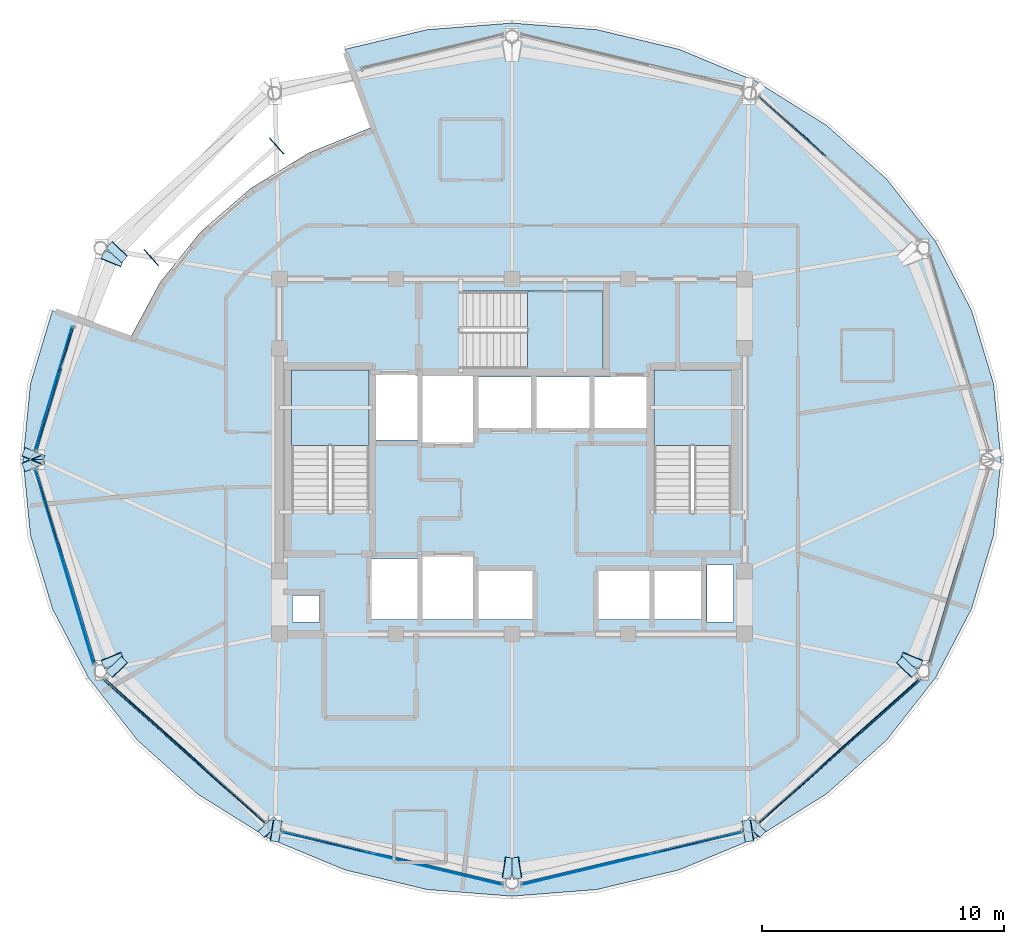
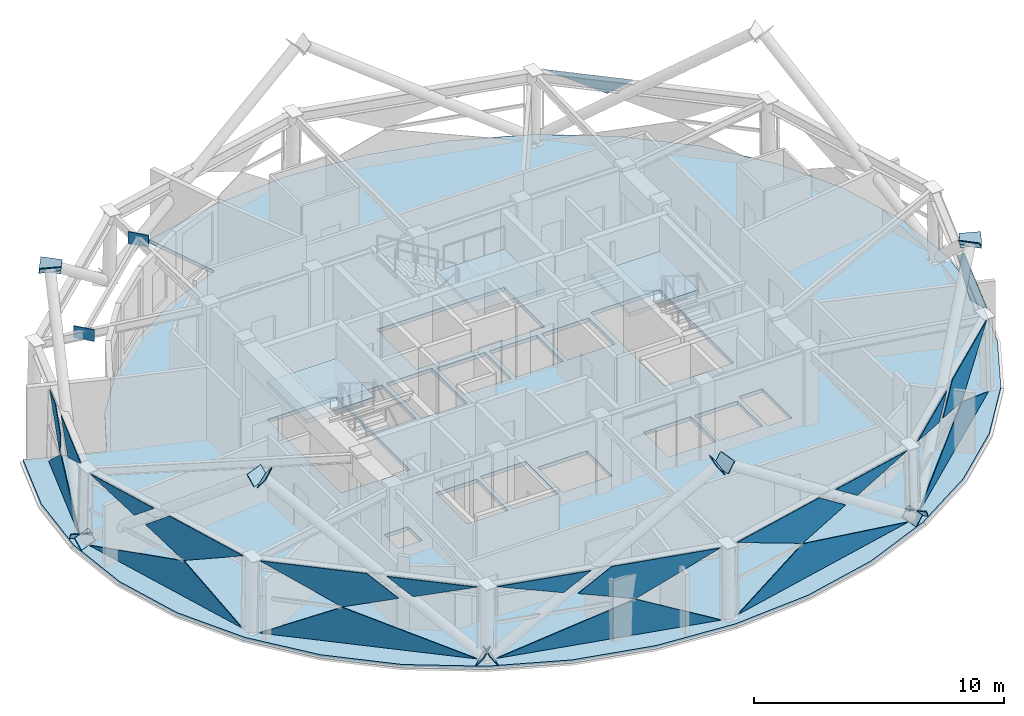
# One storey, part 6 of 15: 36 plates, 4 slabs, 11 elements without a shape of their own.
"""IFC4 building model written with IfcOpenShell, lengths in metres."""

from ifc_helpers import new_model, si_unit, direction, frame, origin, origin_2d, place, context, subcontext, project, spatial, polyline, rectangle, outline, extrude, material, layer, layer_set, type_object, element, aggregate, save


model = new_model("IFC4")

# Units and contexts
model_context = context("Model", 3, precision=1e-05, world=origin(), true_north=direction((0.0, 1.0)))
body_context = subcontext(model_context, "Body", "Model", "MODEL_VIEW")
ifc_project = project(units=[si_unit("LENGTHUNIT", "METRE"), si_unit("AREAUNIT", "SQUARE_METRE"), si_unit("VOLUMEUNIT", "CUBIC_METRE"), si_unit("PLANEANGLEUNIT", "RADIAN"), si_unit("MASSUNIT", "GRAM", prefix="KILO")], contexts=[model_context])

# Site, building, storey
site_placement = place(None, origin())
site = spatial("IfcSite", under=ifc_project, at=site_placement, CompositionType="ELEMENT")
building_placement = place(site_placement, origin())
building = spatial("IfcBuilding", under=site, at=building_placement, Name="Vantalir Tower", CompositionType="ELEMENT")
storey_placement = place(building_placement, frame((0.0, 0.0, 275.10009765625)))
storey = spatial("IfcBuildingStorey", under=building, at=storey_placement, Name="L69", CompositionType="ELEMENT", Elevation=275.10009765625)

# Curtain wall, plate
ifc_material_1 = material(Name="Champagne-silver PVDF aluminium and double-silver Low-E glass", Category="aluminium")
ifc_layer_1 = layer(ifc_material_1, 0.219970703125)
ifc_layer_set_1 = layer_set([ifc_layer_1], Name="Champagne-silver PVDF aluminium and double-silver Low-E glass")
curtain_wall_type = type_object("IfcCurtainWallType", Name="CW-DIAMOND-Z4", PredefinedType="USERDEFINED", material=ifc_layer_set_1)
curtain_wall_1_placement = place(storey_placement, origin())
curtain_wall_1 = element("IfcCurtainWall", 1, at=curtain_wall_1_placement, inside=storey, type_object=curtain_wall_type, Name="L69 Quilted Pyramid-Diamond Curtain Wall S02", ObjectType="UNITISED CURTAIN WALL", PredefinedType="USERDEFINED")
ifc_material_2 = material(Name="Double-silver Low-E acoustic glass IGU", Category="glass")
ifc_layer_2 = layer(ifc_material_2, 0.031982421875)
ifc_layer_set_2 = layer_set([ifc_layer_2], Name="Double-silver Low-E acoustic glass IGU")
plate_type_1 = type_object("IfcPlateType", Name="CWP-IGU-32", PredefinedType="CURTAIN_PANEL", material=ifc_layer_set_2)
plate_1_placement = place(storey_placement, frame((44.4423828125, 37.541015625, 3.524169921875), z_axis=(0.664811906287, 0.746209933203, 0.034581278868), x_axis=(-0.74665804319, 0.665208059282, 6.6381405e-05)))
plate_1 = element("IfcPlate", 2, at=plate_1_placement, type_object=plate_type_1, Name="CW-L69-S02 Pyramid Diamond Facet 2U Infill Light", PredefinedType="CURTAIN_PANEL", context=body_context, shape_type="SweptSolid", body=[
    extrude(outline(polyline([(0.0, 0.0), (3.6778466060164585, -5.9631119486702744e-18), (1.071459729547726, -0.8174545868739826), (0.0, 0.0)])), origin(), (0.0, 0.0, -1.0), 0.031982421875),
])
aggregate(curtain_wall_1, [plate_1])

# Curtain wall, plates
curtain_wall_2_placement = place(storey_placement, origin())
curtain_wall_2 = element("IfcCurtainWall", 3, at=curtain_wall_2_placement, inside=storey, type_object=curtain_wall_type, Name="L69 Quilted Pyramid-Diamond Curtain Wall S06", ObjectType="UNITISED CURTAIN WALL", PredefinedType="USERDEFINED")
plate_2_placement = place(storey_placement, frame((13.33349609375, 30.49853515625, 0.04833984375), z_axis=(-0.957610155679, 0.287945506371, 0.008377057993), x_axis=(-0.287956342959, -0.957643532939, -9.1487321e-05)))
plate_2 = element("IfcPlate", 4, at=plate_2_placement, type_object=plate_type_1, Name="CW-L69-S06 Pyramid Diamond Facet 1L", PredefinedType="CURTAIN_PANEL", context=body_context, shape_type="SweptSolid", body=[
    extrude(outline(polyline([(0.0, 0.0), (5.337146661127436, -3.903127820947816e-18), (2.0283862562884054, 1.722658133123488), (0.0, 0.0)])), origin(), (0.0, 0.0, -1.0), 0.031982421875),
])
plate_3_placement = place(storey_placement, frame((12.88623046875, 28.744384765625, 3.521728515625), z_axis=(-0.956994387183, 0.287887453502, 0.035812805205), x_axis=(-0.288069856479, -0.957609394762, 6.9649385e-05)))
plate_3 = element("IfcPlate", 5, at=plate_3_placement, type_object=plate_type_1, Name="CW-L69-S06 Pyramid Diamond Facet 2U", PredefinedType="CURTAIN_PANEL", context=body_context, shape_type="SweptSolid", body=[
    extrude(outline(polyline([(0.0, 0.0), (3.505280411287647, 8.673617379884035e-19), (1.3962142219426634, -1.106764251244101), (0.0, 0.0)])), origin(), (0.0, 0.0, -1.0), 0.031982421875),
])
plate_4_placement = place(storey_placement, frame((13.372314453125, 30.48486328125, 3.522705078125), z_axis=(-0.956994593593, 0.287887737634, 0.035805004593), x_axis=(-0.288064164591, -0.957611079125, 0.000241278602)))
plate_4 = element("IfcPlate", 6, at=plate_4_placement, type_object=plate_type_1, Name="CW-L69-S06 Pyramid Diamond Facet 2U Infill Light", PredefinedType="CURTAIN_PANEL", context=body_context, shape_type="SweptSolid", body=[
    extrude(outline(polyline([(0.0, 0.0), (0.9859348075779445, 8.131516293641283e-20), (2.0263419495955346, -0.8249925354885322), (2.026172765669833, -1.7240127325255827), (0.0, 0.0)])), origin(), (0.0, 0.0, -1.0), 0.031982421875),
])
aggregate(curtain_wall_2, [plate_2, plate_3, plate_4])

curtain_wall_3_placement = place(storey_placement, origin())
curtain_wall_3 = element("IfcCurtainWall", 7, at=curtain_wall_3_placement, inside=storey, type_object=curtain_wall_type, Name="L69 Quilted Pyramid-Diamond Curtain Wall S07", ObjectType="UNITISED CURTAIN WALL", PredefinedType="USERDEFINED")
plate_5_placement = place(storey_placement, frame((11.796630859375, 24.6123046875, 0.046875), z_axis=(-0.957604111575, -0.287966061156, 0.008361406346), x_axis=(0.287976360321, -0.957637517568, 2.9029875e-05)))
plate_5 = element("IfcPlate", 8, at=plate_5_placement, type_object=plate_type_1, Name="CW-L69-S07 Pyramid Diamond Facet 1L", PredefinedType="CURTAIN_PANEL", context=body_context, shape_type="SweptSolid", body=[
    extrude(outline(polyline([(0.0, 0.0), (8.409978504136427, 9.215718466126788e-19), (5.21001830640283, 1.725006712147774), (0.0, 0.0)])), origin(), (0.0, 0.0, -1.0), 0.031982421875),
])
plate_6_placement = place(storey_placement, frame((13.123291015625, 20.468017578125, 3.52294921875), z_axis=(-0.956999253722, -0.287851344839, 0.035972651417), x_axis=(0.288035694593, -0.957619671381, -6.0197969e-05)))
plate_6 = element("IfcPlate", 9, at=plate_6_placement, type_object=plate_type_1, Name="CW-L69-S07 Pyramid Diamond Facet 2U", PredefinedType="CURTAIN_PANEL", context=body_context, shape_type="SweptSolid", body=[
    extrude(outline(polyline([(0.0, 0.0), (4.044712519839099, 8.429671891074797e-18), (0.8592034600220758, -1.7261631534987343), (-1.2797720131007355, -1.0144048077991257), (0.0, 0.0)])), origin(), (0.0, 0.0, -1.0), 0.031982421875),
])
plate_7_placement = place(storey_placement, frame((11.842041015625, 24.601806640625, 3.5244140625), z_axis=(-0.956982534962, -0.287897475671, 0.036048179985), x_axis=(0.288082309931, -0.957605648405, -6.9618731e-05)))
plate_7 = element("IfcPlate", 10, at=plate_7_placement, type_object=plate_type_1, Name="CW-L69-S07 Pyramid Diamond Facet 2U Infill Light", PredefinedType="CURTAIN_PANEL", context=body_context, shape_type="SweptSolid", body=[
    extrude(outline(polyline([(0.0, 0.0), (3.50682381883066, 5.1228552649940085e-18), (2.4697584677772304, -0.8218954520316802), (0.0, 0.0)])), origin(), (0.0, 0.0, -1.0), 0.031982421875),
])
aggregate(curtain_wall_3, [plate_5, plate_6, plate_7])

curtain_wall_4_placement = place(storey_placement, origin())
curtain_wall_4 = element("IfcCurtainWall", 11, at=curtain_wall_4_placement, inside=storey, type_object=curtain_wall_type, Name="L69 Quilted Pyramid-Diamond Curtain Wall S08", ObjectType="UNITISED CURTAIN WALL", PredefinedType="USERDEFINED")
plate_8_placement = place(storey_placement, frame((14.63720703125, 15.901611328125, 0.047119140625), z_axis=(-0.665151008486, -0.746671409792, 0.007479419082), x_axis=(0.746692021826, -0.665169919296, -5.4823203e-05)))
plate_8 = element("IfcPlate", 12, at=plate_8_placement, type_object=plate_type_1, Name="CW-L69-S08 Pyramid Diamond Facet 1L", PredefinedType="CURTAIN_PANEL", context=body_context, shape_type="SweptSolid", body=[
    extrude(outline(polyline([(0.0, 0.0), (8.906470714310434, 3.3068166260807885e-18), (3.3911132197052147, 1.7253318302117941), (0.0, 0.0)])), origin(), (0.0, 0.0, -1.0), 0.031982421875),
])
plate_9_placement = place(storey_placement, frame((14.707275390625, 15.937744140625, 3.522705078125), z_axis=(-0.664843369795, -0.746182130521, 0.034576317479), x_axis=(0.746629861989, -0.665239690658, 5.6216274e-05)))
plate_9 = element("IfcPlate", 13, at=plate_9_placement, type_object=plate_type_1, Name="CW-L69-S08 Pyramid Diamond Facet 2U", PredefinedType="CURTAIN_PANEL", context=body_context, shape_type="SweptSolid", body=[
    extrude(outline(polyline([(0.0, 0.0), (4.3492869688753375, 1.1275702593849246e-17), (5.665571421070006, -1.0040927138565632), (3.362871188413819, -1.7263185812799955), (0.0, 0.0)])), origin(), (0.0, 0.0, -1.0), 0.031982421875),
])
plate_10_placement = place(storey_placement, frame((18.5576171875, 12.458984375, 3.524169921875), z_axis=(-0.664811906287, -0.746209933203, 0.034581278868), x_axis=(0.74665804319, -0.665208059282, 6.6381405e-05)))
plate_10 = element("IfcPlate", 14, at=plate_10_placement, type_object=plate_type_1, Name="CW-L69-S08 Pyramid Diamond Facet 2U Infill Light", PredefinedType="CURTAIN_PANEL", context=body_context, shape_type="SweptSolid", body=[
    extrude(outline(polyline([(0.0, 0.0), (3.6778466060164585, -5.9631119486702744e-18), (1.071459729547726, -0.8174545868739826), (0.0, 0.0)])), origin(), (0.0, 0.0, -1.0), 0.031982421875),
])
aggregate(curtain_wall_4, [plate_8, plate_9, plate_10])

curtain_wall_5_placement = place(storey_placement, origin())
curtain_wall_5 = element("IfcCurtainWall", 15, at=curtain_wall_5_placement, inside=storey, type_object=curtain_wall_type, Name="L69 Quilted Pyramid-Diamond Curtain Wall S09", ObjectType="UNITISED CURTAIN WALL", PredefinedType="USERDEFINED")
plate_11_placement = place(storey_placement, frame((21.98388671875, 9.614013671875, 0.046630859375), z_axis=(-0.232221341907, -0.972642544246, 0.006303133056), x_axis=(0.97266190389, -0.232225795386, 2.6031364e-05)))
plate_11 = element("IfcPlate", 16, at=plate_11_placement, type_object=plate_type_1, Name="CW-L69-S09 Pyramid Diamond Facet 1L", PredefinedType="CURTAIN_PANEL", context=body_context, shape_type="SweptSolid", body=[
    extrude(outline(polyline([(0.0, 0.0), (9.378710543343471, 6.2341624917916505e-19), (5.809914485881355, 1.7254689744261527), (0.0, 0.0)])), origin(), (0.0, 0.0, -1.0), 0.031982421875),
])
plate_12_placement = place(storey_placement, frame((26.7001953125, 8.5595703125, 3.52294921875), z_axis=(-0.232018905247, -0.972123742793, 0.033803199644), x_axis=(0.972679625293, -0.232151559415, 5.61551e-07)))
plate_12 = element("IfcPlate", 17, at=plate_12_placement, type_object=plate_type_1, Name="CW-L69-S09 Pyramid Diamond Facet 2U", PredefinedType="CURTAIN_PANEL", context=body_context, shape_type="SweptSolid", body=[
    extrude(outline(polyline([(0.0, 0.0), (4.529742667009281, 0.0), (0.9775081115874013, -1.7263289280254674), (-1.4124941260072281, -1.0130267711499568), (0.0, 0.0)])), origin(), (0.0, 0.0, -1.0), 0.031982421875),
])
plate_13_placement = place(storey_placement, frame((22.015380859375, 9.640869140625, 3.5244140625), z_axis=(-0.232033056585, -0.972116548684, 0.033912776744), x_axis=(0.972675544698, -0.232168647529, -6.2060585e-05)))
plate_13 = element("IfcPlate", 18, at=plate_13_placement, type_object=plate_type_1, Name="CW-L69-S09 Pyramid Diamond Facet 2U Infill Light", PredefinedType="CURTAIN_PANEL", context=body_context, shape_type="SweptSolid", body=[
    extrude(outline(polyline([(0.0, 0.0), (3.9339079063755373, -2.087089182034596e-18), (2.7782925911796483, -0.8289176568402569), (0.0, 0.0)])), origin(), (0.0, 0.0, -1.0), 0.031982421875),
])
aggregate(curtain_wall_5, [plate_11, plate_12, plate_13])

curtain_wall_6_placement = place(storey_placement, origin())
curtain_wall_6 = element("IfcCurtainWall", 19, at=curtain_wall_6_placement, inside=storey, type_object=curtain_wall_type, Name="L69 Quilted Pyramid-Diamond Curtain Wall S10", ObjectType="UNITISED CURTAIN WALL", PredefinedType="USERDEFINED")
plate_14_placement = place(storey_placement, frame((31.893798828125, 7.43603515625, 0.046875), z_axis=(0.232221341907, -0.972642544246, 0.006303133056), x_axis=(0.97266190389, 0.232225795386, -2.6031364e-05)))
plate_14 = element("IfcPlate", 20, at=plate_14_placement, type_object=plate_type_1, Name="CW-L69-S10 Pyramid Diamond Facet 1L", PredefinedType="CURTAIN_PANEL", context=body_context, shape_type="SweptSolid", body=[
    extrude(outline(polyline([(0.0, 0.0), (9.378710543343471, -6.2341624917916505e-19), (3.5687960574621167, 1.7254689744261524), (0.0, 0.0)])), origin(), (0.0, 0.0, -1.0), 0.031982421875),
])
plate_15_placement = place(storey_placement, frame((31.893798828125, 7.508056640625, 3.52294921875), z_axis=(0.232018905247, -0.972123742793, 0.033803199644), x_axis=(0.972679625293, 0.232151559415, -5.61551e-07)))
plate_15 = element("IfcPlate", 21, at=plate_15_placement, type_object=plate_type_1, Name="CW-L69-S10 Pyramid Diamond Facet 2U", PredefinedType="CURTAIN_PANEL", context=body_context, shape_type="SweptSolid", body=[
    extrude(outline(polyline([(0.0, 0.0), (4.529742667009281, 0.0), (5.9422367930165105, -1.0130267711499568), (3.552234555421881, -1.7263289280254674), (0.0, 0.0)])), origin(), (0.0, 0.0, -1.0), 0.031982421875),
])
plate_16_placement = place(storey_placement, frame((37.158203125, 8.7275390625, 3.524169921875), z_axis=(0.232033056585, -0.972116548684, 0.033912776744), x_axis=(0.972675544698, 0.232168647529, 6.2060585e-05)))
plate_16 = element("IfcPlate", 22, at=plate_16_placement, type_object=plate_type_1, Name="CW-L69-S10 Pyramid Diamond Facet 2U Infill Light", PredefinedType="CURTAIN_PANEL", context=body_context, shape_type="SweptSolid", body=[
    extrude(outline(polyline([(0.0, 0.0), (3.9339079063755373, 2.087089182034596e-18), (1.1556153151958888, -0.8289176568402569), (0.0, 0.0)])), origin(), (0.0, 0.0, -1.0), 0.031982421875),
])
aggregate(curtain_wall_6, [plate_14, plate_15, plate_16])

curtain_wall_7_placement = place(storey_placement, origin())
curtain_wall_7 = element("IfcCurtainWall", 23, at=curtain_wall_7_placement, inside=storey, type_object=curtain_wall_type, Name="L69 Quilted Pyramid-Diamond Curtain Wall S11", ObjectType="UNITISED CURTAIN WALL", PredefinedType="USERDEFINED")
plate_17_placement = place(storey_placement, frame((41.71240234375, 9.977294921875, 0.046630859375), z_axis=(0.665151008486, -0.746671409792, 0.007479419082), x_axis=(0.746692021826, 0.665169919296, 5.4823203e-05)))
plate_17 = element("IfcPlate", 24, at=plate_17_placement, type_object=plate_type_1, Name="CW-L69-S11 Pyramid Diamond Facet 1L", PredefinedType="CURTAIN_PANEL", context=body_context, shape_type="SweptSolid", body=[
    extrude(outline(polyline([(0.0, 0.0), (8.906470714310434, -3.3068166260807885e-18), (5.515357494605218, 1.7253318302117944), (0.0, 0.0)])), origin(), (0.0, 0.0, -1.0), 0.031982421875),
])
plate_18_placement = place(storey_placement, frame((45.04541015625, 13.04443359375, 3.52294921875), z_axis=(0.664843369795, -0.746182130521, 0.034576317479), x_axis=(0.746629861989, 0.665239690658, -5.6216274e-05)))
plate_18 = element("IfcPlate", 25, at=plate_18_placement, type_object=plate_type_1, Name="CW-L69-S11 Pyramid Diamond Facet 2U", PredefinedType="CURTAIN_PANEL", context=body_context, shape_type="SweptSolid", body=[
    extrude(outline(polyline([(0.0, 0.0), (4.3492869688753375, -1.1275702593849246e-17), (0.9864157804615186, -1.7263185812799955), (-1.3162844521946688, -1.0040927138565632), (0.0, 0.0)])), origin(), (0.0, 0.0, -1.0), 0.031982421875),
])
plate_19_placement = place(storey_placement, frame((41.6962890625, 10.012451171875, 3.5244140625), z_axis=(0.664811906287, -0.746209933203, 0.034581278868), x_axis=(0.74665804319, 0.665208059282, -6.6381405e-05)))
plate_19 = element("IfcPlate", 26, at=plate_19_placement, type_object=plate_type_1, Name="CW-L69-S11 Pyramid Diamond Facet 2U Infill Light", PredefinedType="CURTAIN_PANEL", context=body_context, shape_type="SweptSolid", body=[
    extrude(outline(polyline([(0.0, 0.0), (3.6778466060164585, 5.9631119486702744e-18), (2.606386876468733, -0.8174545868739825), (0.0, 0.0)])), origin(), (0.0, 0.0, -1.0), 0.031982421875),
])
aggregate(curtain_wall_7, [plate_17, plate_18, plate_19])

# Curtain wall, plate
curtain_wall_8_placement = place(storey_placement, origin())
curtain_wall_8 = element("IfcCurtainWall", 27, at=curtain_wall_8_placement, inside=storey, type_object=curtain_wall_type, Name="L69 Quilted Pyramid-Diamond Curtain Wall S12", ObjectType="UNITISED CURTAIN WALL", PredefinedType="USERDEFINED")
plate_20_placement = place(storey_placement, frame((48.711669921875, 16.5947265625, 3.522705078125), z_axis=(0.956999253722, -0.287851344839, 0.035972651417), x_axis=(0.288035694593, 0.957619671381, 6.0197969e-05)))
plate_20 = element("IfcPlate", 28, at=plate_20_placement, type_object=plate_type_1, Name="CW-L69-S12 Pyramid Diamond Facet 2U", PredefinedType="CURTAIN_PANEL", context=body_context, shape_type="SweptSolid", body=[
    extrude(outline(polyline([(0.0, 0.0), (4.044712519839099, -8.429671891074797e-18), (5.324484532939834, -1.0144048077991255), (3.1855090598170226, -1.7261631534987343), (0.0, 0.0)])), origin(), (0.0, 0.0, -1.0), 0.031982421875),
])
aggregate(curtain_wall_8, [plate_20])

# Plates
ifc_material_3 = material(Name="Steel S460", Category="steel")
ifc_layer_3 = layer(ifc_material_3, 0.035888671875)
ifc_layer_set_3 = layer_set([ifc_layer_3], Name="Steel S460")
plate_type_2 = type_object("IfcPlateType", Name="PLT-KN-Z2", PredefinedType="USERDEFINED", material=ifc_layer_set_3)
for number, where, z_axis, x_axis, name in (
    (29, (21.784912109375, 37.943115234375, 3.1298828125), (0.0, 0.0, 1.0), (-0.747090817222, -0.664721980096, 0.0), "L69 Lintel Cap 1A"),
    (30, (16.610107421875, 33.339111328125, 3.1298828125), (0.0, 0.0, 1.0), (-0.747090817222, -0.664721980096, 0.0), "L69 Lintel Cap 1B"),
):
    element("IfcPlate", number, at=place(storey_placement, frame(where, z_axis=z_axis, x_axis=x_axis)), inside=storey, type_object=plate_type_2, Name=name, ObjectType="FLANGE_PLATE", PredefinedType="USERDEFINED", context=body_context, shape_type="SweptSolid", body=[
        extrude(rectangle(XDim=0.035888671875, YDim=0.8798828125, at=origin_2d()), origin(), (0.0, 0.0, 1.0), 0.580078125),
    ])
plate_21_placement = place(storey_placement, frame((47.501220703125, 16.693115234375, 6.893310546875), z_axis=(-0.293601828117, -0.72904397498, 0.618298349562), x_axis=(0.927592593642, -0.373593333486, -3.7340597e-05)))
element("IfcPlate", 31, at=plate_21_placement, inside=storey, type_object=plate_type_2, Name="Node Cap Plate MEM-DG-L69-R01R End", ObjectType="FLANGE_PLATE", PredefinedType="USERDEFINED", context=body_context, shape_type="SweptSolid", body=[
    extrude(outline(polyline([(0.0, 0.0), (0.8801513313833746, 0.0), (0.8799177651918653, 0.5799951481075296), (8.410615398099355e-05, 0.579911530275008), (0.0, 0.0)])), origin(), (0.0, 0.0, -1.0), 0.035888671875),
])
plate_22_placement = place(storey_placement, frame((14.745849609375, 33.732177734375, 6.892822265625), z_axis=(-0.549147817676, -0.577445289762, 0.60414701164), x_axis=(0.724639153367, -0.689128505729, 0.0)))
element("IfcPlate", 32, at=plate_22_placement, inside=storey, type_object=plate_type_2, Name="Node Cap Plate MEM-DG-L69-R13L End", ObjectType="FLANGE_PLATE", PredefinedType="USERDEFINED", context=body_context, shape_type="SweptSolid", body=[
    extrude(outline(polyline([(0.0, 0.0), (0.8800177433652661, 0.0), (0.8800115120962256, 0.5799647775669764), (-6.231269040535281e-06, 0.5799647775669764), (0.0, 0.0)])), origin(), (0.0, 0.0, -1.0), 0.035888671875),
])
plate_23_placement = place(storey_placement, frame((11.40576171875, 24.503173828125, -0.007080078125), z_axis=(0.293491413261, -0.729149543793, 0.618226279875), x_axis=(0.927670974944, 0.373398663958, 0.0)))
element("IfcPlate", 33, at=plate_23_placement, inside=storey, type_object=plate_type_2, Name="Node Cap Plate MEM-DG-L69-R19L Start", ObjectType="FLANGE_PLATE", PredefinedType="USERDEFINED", context=body_context, shape_type="SweptSolid", body=[
    extrude(outline(polyline([(0.0, 0.0), (0.8800601420658444, 2.7755575615628914e-17), (0.8798837785566065, 0.5799115119921887), (-0.00017636350923788856, 0.5799115119921887), (0.0, 0.0)])), origin(), (0.0, 0.0, -1.0), 0.035888671875),
])
plate_24_placement = place(storey_placement, frame((14.682373046875, 16.3642578125, 6.893310546875), z_axis=(0.293601828117, -0.72904397498, 0.618298349562), x_axis=(0.927592593642, 0.373593333486, 3.7340597e-05)))
element("IfcPlate", 34, at=plate_24_placement, inside=storey, type_object=plate_type_2, Name="Node Cap Plate MEM-DG-L69-R19L End", ObjectType="FLANGE_PLATE", PredefinedType="USERDEFINED", context=body_context, shape_type="SweptSolid", body=[
    extrude(outline(polyline([(0.0, 0.0), (0.8801513313833746, 0.0), (0.8800672252293938, 0.579911530275008), (0.0002335661915094532, 0.5799951481075296), (0.0, 0.0)])), origin(), (0.0, 0.0, -1.0), 0.035888671875),
])
plate_25_placement = place(storey_placement, frame((12.22216796875, 25.168212890625, -0.007080078125), z_axis=(0.293491413261, 0.729149543793, 0.618226279875), x_axis=(-0.927670974944, 0.373398663958, 0.0)))
element("IfcPlate", 35, at=plate_25_placement, inside=storey, type_object=plate_type_2, Name="Node Cap Plate MEM-DG-L69-R19R Start", ObjectType="FLANGE_PLATE", PredefinedType="USERDEFINED", context=body_context, shape_type="SweptSolid", body=[
    extrude(outline(polyline([(0.0, 0.0), (0.8800601420658444, -2.7755575615628914e-17), (0.8802365055750823, 0.5799115119921887), (0.00017636350923788856, 0.5799115119921887), (0.0, 0.0)])), origin(), (0.0, 0.0, -1.0), 0.035888671875),
])
plate_26_placement = place(storey_placement, frame((15.498779296875, 33.306884765625, 6.893310546875), z_axis=(0.293601828117, 0.72904397498, 0.618298349562), x_axis=(-0.927592593642, 0.373593333486, -3.7340597e-05)))
element("IfcPlate", 36, at=plate_26_placement, inside=storey, type_object=plate_type_2, Name="Node Cap Plate MEM-DG-L69-R19R End", ObjectType="FLANGE_PLATE", PredefinedType="USERDEFINED", context=body_context, shape_type="SweptSolid", body=[
    extrude(outline(polyline([(0.0, 0.0), (0.8801513313833746, 0.0), (0.8799177651918653, 0.5799951481075296), (8.410615398099355e-05, 0.579911530275008), (0.0, 0.0)])), origin(), (0.0, 0.0, -1.0), 0.035888671875),
])
plate_27_placement = place(storey_placement, frame((21.869384765625, 9.21728515625, -0.023681640625), z_axis=(0.803713802498, -0.129642187055, 0.580721126712), x_axis=(0.159252877978, 0.987237823803, -1.0444768e-05)))
element("IfcPlate", 37, at=plate_27_placement, inside=storey, type_object=plate_type_2, Name="Node Cap Plate MEM-DG-L69-R25L Start", ObjectType="FLANGE_PLATE", PredefinedType="USERDEFINED", context=body_context, shape_type="SweptSolid", body=[
    extrude(outline(polyline([(0.0, 0.0), (0.8798836252561697, 1.3877787807814457e-17), (0.8799494702878352, 0.5799971461975794), (-0.0001751798276613569, 0.5799745656542845), (0.0, 0.0)])), origin(), (0.0, 0.0, -1.0), 0.035888671875),
])
plate_28_placement = place(storey_placement, frame((31.44189453125, 7.673583984375, 6.892333984375), z_axis=(0.803701023683, -0.129621912783, 0.580743337678), x_axis=(0.15922371753, 0.987242527334, 0.0)))
element("IfcPlate", 38, at=plate_28_placement, inside=storey, type_object=plate_type_2, Name="Node Cap Plate MEM-DG-L69-R25L End", ObjectType="FLANGE_PLATE", PredefinedType="USERDEFINED", context=body_context, shape_type="SweptSolid", body=[
    extrude(outline(polyline([(0.0, 0.0), (0.8801246505474388, 0.0), (0.8802053763134176, 0.5799971445332299), (8.072576597879799e-05, 0.5799971445332299), (0.0, 0.0)])), origin(), (0.0, 0.0, -1.0), 0.035888671875),
])
plate_29_placement = place(storey_placement, frame((21.6630859375, 10.269775390625, -0.013427734375), z_axis=(-0.549133273298, 0.577656805513, 0.603957997879), x_axis=(-0.724773035438, -0.688987697348, 2.389139e-06)))
element("IfcPlate", 39, at=plate_29_placement, inside=storey, type_object=plate_type_2, Name="Node Cap Plate MEM-DG-L69-R25R Start", ObjectType="FLANGE_PLATE", PredefinedType="USERDEFINED", context=body_context, shape_type="SweptSolid", body=[
    extrude(outline(polyline([(0.0, 0.0), (0.8801946732936545, 5.551115123125783e-17), (0.8799657202018253, 0.5798578901498292), (0.00011620333707358386, 0.579863166065134), (0.0, 0.0)])), origin(), (0.0, 0.0, -1.0), 0.035888671875),
])
plate_30_placement = place(storey_placement, frame((15.383544921875, 16.874267578125, 6.892822265625), z_axis=(-0.549147817676, 0.577445289762, 0.60414701164), x_axis=(-0.724639153367, -0.689128505729, 0.0)))
element("IfcPlate", 40, at=plate_30_placement, inside=storey, type_object=plate_type_2, Name="Node Cap Plate MEM-DG-L69-R25R End", ObjectType="FLANGE_PLATE", PredefinedType="USERDEFINED", context=body_context, shape_type="SweptSolid", body=[
    extrude(outline(polyline([(0.0, 0.0), (0.8800177433652661, 0.0), (0.8800239746343066, 0.5799647775669764), (6.231269040535281e-06, 0.5799647775669764), (0.0, 0.0)])), origin(), (0.0, 0.0, -1.0), 0.035888671875),
])
plate_31_placement = place(storey_placement, frame((41.974853515625, 9.663330078125, -0.013427734375), z_axis=(0.549133273298, 0.577656805513, 0.603957997879), x_axis=(-0.724773035438, 0.688987697348, -2.389139e-06)))
element("IfcPlate", 41, at=plate_31_placement, inside=storey, type_object=plate_type_2, Name="Node Cap Plate MEM-DG-L69-R31L Start", ObjectType="FLANGE_PLATE", PredefinedType="USERDEFINED", context=body_context, shape_type="SweptSolid", body=[
    extrude(outline(polyline([(0.0, 0.0), (0.8801946732936545, -5.551115123125783e-17), (0.880078469956581, 0.579863166065134), (0.00022895309182914816, 0.5798578901498292), (0.0, 0.0)])), origin(), (0.0, 0.0, -1.0), 0.035888671875),
])
plate_32_placement = place(storey_placement, frame((48.254150390625, 16.267822265625, 6.892822265625), z_axis=(0.549147817676, 0.577445289762, 0.60414701164), x_axis=(-0.724639153367, 0.689128505729, 0.0)))
element("IfcPlate", 42, at=plate_32_placement, inside=storey, type_object=plate_type_2, Name="Node Cap Plate MEM-DG-L69-R31L End", ObjectType="FLANGE_PLATE", PredefinedType="USERDEFINED", context=body_context, shape_type="SweptSolid", body=[
    extrude(outline(polyline([(0.0, 0.0), (0.8800177433652661, 0.0), (0.8800115120962256, 0.5799647775669764), (-6.231269040535281e-06, 0.5799647775669764), (0.0, 0.0)])), origin(), (0.0, 0.0, -1.0), 0.035888671875),
])
plate_33_placement = place(storey_placement, frame((40.990478515625, 10.0859375, -0.023681640625), z_axis=(-0.803713802498, -0.129642187055, 0.580721126712), x_axis=(0.159252877978, -0.987237823803, 1.0444768e-05)))
element("IfcPlate", 43, at=plate_33_placement, inside=storey, type_object=plate_type_2, Name="Node Cap Plate MEM-DG-L69-R31R Start", ObjectType="FLANGE_PLATE", PredefinedType="USERDEFINED", context=body_context, shape_type="SweptSolid", body=[
    extrude(outline(polyline([(0.0, 0.0), (0.8798836252561697, -1.3877787807814457e-17), (0.880058805083831, 0.5799745656542845), (-6.584503166548136e-05, 0.5799971461975794), (0.0, 0.0)])), origin(), (0.0, 0.0, -1.0), 0.035888671875),
])
plate_34_placement = place(storey_placement, frame((31.41796875, 8.54248046875, 6.892333984375), z_axis=(-0.803701023683, -0.129621912783, 0.580743337678), x_axis=(0.15922371753, -0.987242527334, 0.0)))
element("IfcPlate", 44, at=plate_34_placement, inside=storey, type_object=plate_type_2, Name="Node Cap Plate MEM-DG-L69-R31R End", ObjectType="FLANGE_PLATE", PredefinedType="USERDEFINED", context=body_context, shape_type="SweptSolid", body=[
    extrude(outline(polyline([(0.0, 0.0), (0.8801246505474388, 0.0), (0.88004392478146, 0.5799971445332299), (-8.072576597879799e-05, 0.5799971445332299), (0.0, 0.0)])), origin(), (0.0, 0.0, -1.0), 0.035888671875),
])

# Stair, slab
ifc_material_4 = material(Name="Concrete C40/50", Category="concrete")
stair_type = type_object("IfcStairType", Name="STR-CORE-1450", PredefinedType="HALF_TURN_STAIR", material=ifc_material_4)
stair_1_placement = place(storey_placement, origin())
stair_1 = element("IfcStair", 45, at=stair_1_placement, inside=storey, type_object=stair_type, Name="L69 Core Exit Stair 1", PredefinedType="HALF_TURN_STAIR")
ifc_layer_4 = layer(ifc_material_4, 0.199951171875)
ifc_layer_set_4 = layer_set([ifc_layer_4], Name="Concrete C40/50")
slab_type_1 = type_object("IfcSlabType", Name="SL-LAND-200", PredefinedType="LANDING", material=ifc_layer_set_4)
slab_1_placement = place(storey_placement, frame((0.0, 0.0, 1.6748046875)))
slab_1 = element("IfcSlab", 46, at=slab_1_placement, type_object=slab_type_1, Name="ST1 landing 1", PredefinedType="LANDING", context=body_context, shape_type="SweptSolid", body=[
    extrude(outline(polyline([(25.60009765625, 25.590087890625), (25.60009765625, 28.699951171875), (22.39990234375, 28.699951171875), (22.39990234375, 25.590087890625), (25.60009765625, 25.590087890625)])), origin(), (0.0, 0.0, 1.0), 0.2001953125),
])
aggregate(stair_1, [slab_1])

stair_2_placement = place(storey_placement, origin())
stair_2 = element("IfcStair", 47, at=stair_2_placement, inside=storey, type_object=stair_type, Name="L69 Core Exit Stair 2", PredefinedType="HALF_TURN_STAIR")
slab_2_placement = place(storey_placement, frame((0.0, 0.0, 1.6748046875)))
slab_2 = element("IfcSlab", 48, at=slab_2_placement, type_object=slab_type_1, Name="ST2 landing 1", PredefinedType="LANDING", context=body_context, shape_type="SweptSolid", body=[
    extrude(outline(polyline([(40.550048828125, 25.590087890625), (40.550048828125, 28.699951171875), (37.35009765625, 28.699951171875), (37.35009765625, 25.590087890625), (40.550048828125, 25.590087890625)])), origin(), (0.0, 0.0, 1.0), 0.2001953125),
])
aggregate(stair_2, [slab_2])

stair_3_placement = place(storey_placement, origin())
stair_3 = element("IfcStair", 49, at=stair_3_placement, inside=storey, type_object=stair_type, Name="L69 Core Exit Stair 3", PredefinedType="HALF_TURN_STAIR")
slab_3_placement = place(storey_placement, frame((0.0, 0.0, 1.6748046875)))
slab_3 = element("IfcSlab", 50, at=slab_3_placement, type_object=slab_type_1, Name="ST3 landing 1", PredefinedType="LANDING", context=body_context, shape_type="SweptSolid", body=[
    extrude(outline(polyline([(32.139892578125, 28.75), (35.25, 28.75), (35.25, 31.949951171875), (32.139892578125, 31.949951171875), (32.139892578125, 28.75)])), origin(), (0.0, 0.0, 1.0), 0.2001953125),
])
aggregate(stair_3, [slab_3])

# Slab
ifc_layer_5 = layer(ifc_material_4, 0.179931640625)
ifc_layer_set_5 = layer_set([ifc_layer_5], Name="Concrete C40/50")
slab_type_2 = type_object("IfcSlabType", Name="SL-TWR-180", PredefinedType="FLOOR", material=ifc_layer_set_5)
slab_4_placement = place(storey_placement, frame((0.0, 0.0, -0.18017578125)))
element("IfcSlab", 51, at=slab_4_placement, inside=storey, type_object=slab_type_2, Name="L69 Primary Structural Slab", PredefinedType="FLOOR", context=body_context, shape_type="SweptSolid", body=[
    extrude(outline(polyline([(16.041015625, 13.41796875), (18.529052734375, 11.197021484375), (21.409912109375, 9.39599609375), (24.597900390625, 8.069091796875), (27.99609375, 7.256103515625), (31.5, 6.98193359375), (35.00390625, 7.256103515625), (38.402099609375, 8.069091796875), (41.590087890625, 9.39599609375), (44.470947265625, 11.197021484375), (46.958984375, 13.41796875), (48.97607421875, 15.990966796875), (50.462890625, 18.8369140625), (51.373046875, 21.87109375), (51.679931640625, 25.0), (51.373046875, 28.12890625), (50.462890625, 31.1630859375), (48.97607421875, 34.009033203125), (46.958984375, 36.58203125), (44.470947265625, 38.802978515625), (41.590087890625, 40.60400390625), (38.402099609375, 41.930908203125), (35.00390625, 42.743896484375), (31.5, 43.01806640625), (27.99609375, 42.743896484375), (24.597900390625, 41.930908203125), (25.760986328125, 38.736083984375), (23.110107421875, 37.659912109375), (20.714111328125, 36.197998046875), (18.64599609375, 34.39599609375), (16.968017578125, 32.30908203125), (15.73193359375, 30.0), (12.537109375, 31.1630859375), (11.626953125, 28.12890625), (11.320068359375, 25.0), (11.626953125, 21.87109375), (12.537109375, 18.8369140625), (14.02392578125, 15.990966796875), (16.041015625, 13.41796875)]), holes=[polyline([(22.39990234375, 28.699951171875), (25.60009765625, 28.699951171875), (25.60009765625, 22.7900390625), (22.39990234375, 22.7900390625), (22.39990234375, 28.699951171875)]), polyline([(40.550048828125, 28.699951171875), (40.550048828125, 22.7900390625), (37.35009765625, 22.7900390625), (37.35009765625, 28.699951171875), (40.550048828125, 28.699951171875)]), polyline([(29.340087890625, 28.75), (29.340087890625, 31.949951171875), (35.25, 31.949951171875), (35.25, 28.75), (29.340087890625, 28.75)]), polyline([(25.699951171875, 18.39990234375), (25.699951171875, 20.89990234375), (27.60009765625, 20.89990234375), (27.60009765625, 18.39990234375), (25.699951171875, 18.39990234375)]), polyline([(25.699951171875, 28.5), (27.60009765625, 28.5), (27.60009765625, 25.800048828125), (25.699951171875, 25.800048828125), (25.699951171875, 28.5)]), polyline([(29.89990234375, 21.0), (29.89990234375, 18.39990234375), (27.800048828125, 18.39990234375), (27.800048828125, 21.0), (29.89990234375, 21.0)]), polyline([(29.89990234375, 25.699951171875), (27.800048828125, 25.699951171875), (27.800048828125, 28.5), (29.89990234375, 28.5), (29.89990234375, 25.699951171875)]), polyline([(30.10009765625, 18.39990234375), (30.10009765625, 20.39990234375), (32.39990234375, 20.39990234375), (32.39990234375, 18.39990234375), (30.10009765625, 18.39990234375)]), polyline([(37.35009765625, 20.39990234375), (39.35009765625, 20.39990234375), (39.35009765625, 18.39990234375), (37.35009765625, 18.39990234375), (37.35009765625, 20.39990234375)]), polyline([(37.199951171875, 20.39990234375), (37.199951171875, 18.39990234375), (35.0, 18.39990234375), (35.0, 20.39990234375), (37.199951171875, 20.39990234375)]), polyline([(32.300048828125, 26.300048828125), (30.10009765625, 26.300048828125), (30.10009765625, 28.39990234375), (32.300048828125, 28.39990234375), (32.300048828125, 26.300048828125)]), polyline([(32.5, 26.300048828125), (32.5, 28.39990234375), (34.699951171875, 28.39990234375), (34.699951171875, 26.300048828125), (32.5, 26.300048828125)]), polyline([(34.89990234375, 28.39990234375), (37.10009765625, 28.39990234375), (37.10009765625, 26.300048828125), (34.89990234375, 26.300048828125), (34.89990234375, 28.39990234375)]), polyline([(23.550048828125, 19.39990234375), (23.550048828125, 18.300048828125), (22.449951171875, 18.300048828125), (22.449951171875, 19.39990234375), (23.550048828125, 19.39990234375)]), polyline([(40.64990234375, 18.300048828125), (39.550048828125, 18.300048828125), (39.550048828125, 20.64990234375), (40.64990234375, 20.64990234375), (40.64990234375, 18.300048828125)])]), origin(), (0.0, 0.0, 1.0), 0.18017578125),
])

save(model, "model.ifc")
